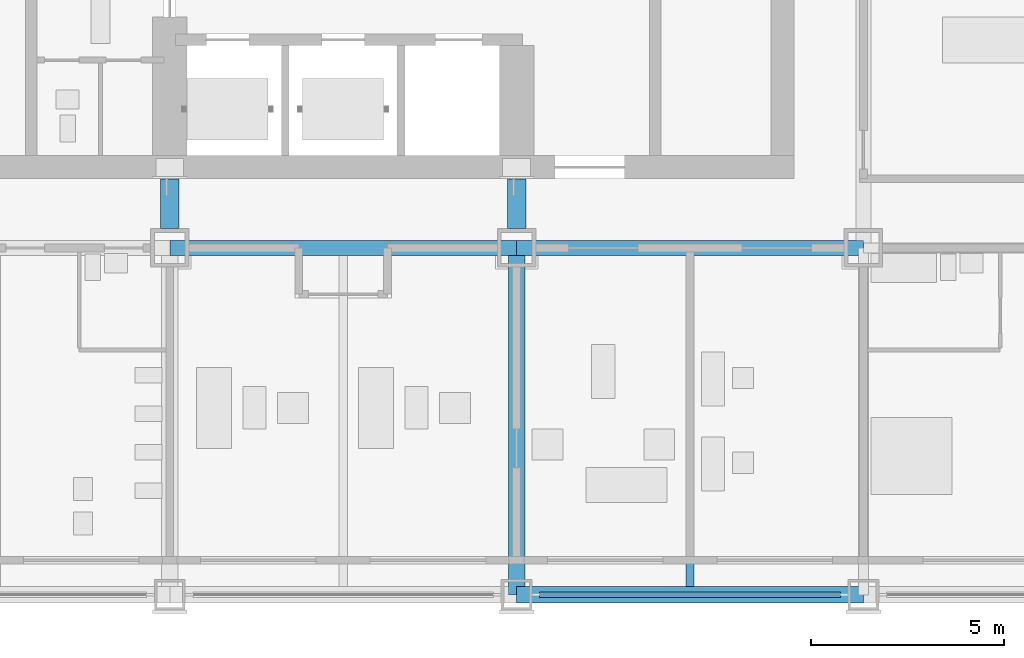
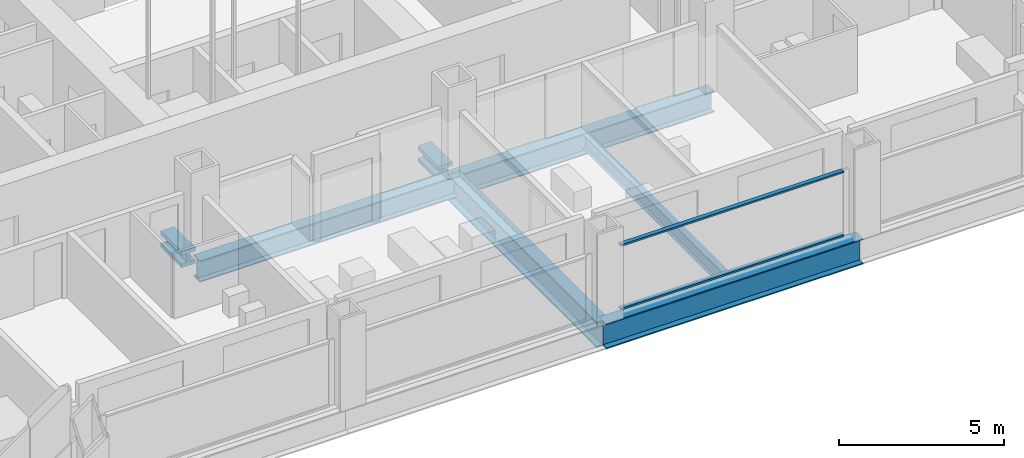
# One storey, part 3 of 19: 5 beams, 4 members, 1 element without a shape of its own.
"""IFC4 building model written with IfcOpenShell, lengths in metres."""

from ifc_helpers import new_model, si_unit, direction, frame, origin, origin_2d, place, context, subcontext, project, spatial, rectangle, i_section, extrude, material, material_profile, profile_set, type_object, element, aggregate, save


model = new_model("IFC4")

# Units and contexts
model_context = context("Model", 3, precision=1e-05, world=origin(), true_north=direction((0.0, 1.0)))
body_context = subcontext(model_context, "Body", "Model", "MODEL_VIEW")
ifc_project = project(units=[si_unit("LENGTHUNIT", "METRE"), si_unit("AREAUNIT", "SQUARE_METRE"), si_unit("VOLUMEUNIT", "CUBIC_METRE"), si_unit("PLANEANGLEUNIT", "RADIAN"), si_unit("MASSUNIT", "GRAM", prefix="KILO")], contexts=[model_context])

# Site, building, storey
site_placement = place(None, origin())
site = spatial("IfcSite", under=ifc_project, at=site_placement, CompositionType="ELEMENT")
building_placement = place(site_placement, origin())
building = spatial("IfcBuilding", under=site, at=building_placement, Name="Loomwork Tower", CompositionType="ELEMENT")
storey_placement = place(building_placement, frame((0.0, 0.0, 94.199951171875)))
storey = spatial("IfcBuildingStorey", under=building, at=storey_placement, Name="L24", CompositionType="ELEMENT", Elevation=94.199951171875)

# Beams
ifc_material_1 = material(Name="Steel ASTM A992", Category="steel")
ifc_material_profile_1 = material_profile(ifc_material_1, i_section(OverallWidth=0.424072265625, OverallDepth=0.947509765625, WebThickness=0.02392578125, FlangeThickness=0.042724609375, at=origin_2d()), Name="W36x302")
ifc_profile_set_1 = profile_set([ifc_material_profile_1], Name="Steel ASTM A992")
beam_type_1 = type_object("IfcBeamType", Name="BELT CHORD SPANDREL W36x302", PredefinedType="SPANDREL", material=ifc_profile_set_1)
beam_1_placement = place(storey_placement, frame((27.0, 0.0, -0.673583984375), z_axis=(1.0, 0.0, 0.0), x_axis=(0.0, 1.0, 0.0)))
element("IfcBeam", 1, at=beam_1_placement, inside=storey, type_object=beam_type_1, Name="Belt Chord Spandrel D/5-D/6 L24", PredefinedType="SPANDREL", context=body_context, shape_type="SweptSolid", body=[
    extrude(i_section(OverallWidth=0.424072265625, OverallDepth=0.947509765625, WebThickness=0.02392578125, FlangeThickness=0.042724609375, at=origin_2d()), origin(), (0.0, 0.0, 1.0), 9.0),
])
ifc_material_2 = material(Name="Steel ASTM A992", Category="steel")
ifc_material_profile_2 = material_profile(ifc_material_2, i_section(OverallWidth=0.383544921875, OverallDepth=0.794921875, WebThickness=0.02099609375, FlangeThickness=0.0380859375, at=origin_2d()), Name="W30x235")
ifc_profile_set_2 = profile_set([ifc_material_profile_2], Name="Steel ASTM A992")
beam_type_2 = type_object("IfcBeamType", Name="CORE FLANK GIRDER W30x235", PredefinedType="BEAM", material=ifc_profile_set_2)
for number, where, z_axis, x_axis, name in (
    (2, (18.0, 9.0, -0.597412109375), (1.0, 0.0, 0.0), (0.0, 1.0, 0.0), "Core Flank Girder E/4-E/5 L24"),
    (3, (27.0, 9.0, -0.597412109375), (1.0, 0.0, 0.0), (0.0, 1.0, 0.0), "Core Flank Girder E/5-E/6 L24"),
):
    element("IfcBeam", number, at=place(storey_placement, frame(where, z_axis=z_axis, x_axis=x_axis)), inside=storey, type_object=beam_type_2, Name=name, PredefinedType="BEAM", context=body_context, shape_type="SweptSolid", body=[
        extrude(i_section(OverallWidth=0.383544921875, OverallDepth=0.794921875, WebThickness=0.02099609375, FlangeThickness=0.0380859375, at=origin_2d()), origin(), (0.0, 0.0, 1.0), 9.0),
    ])
ifc_material_3 = material(Name="Steel ASTM A992", Category="steel")
ifc_material_profile_3 = material_profile(ifc_material_3, i_section(OverallWidth=0.21240234375, OverallDepth=0.54345703125, WebThickness=0.01318359375, FlangeThickness=0.021240234375, at=origin_2d()), Name="W21x83")
ifc_profile_set_3 = profile_set([ifc_material_profile_3], Name="Steel ASTM A992")
beam_type_3 = type_object("IfcBeamType", Name="FLOOR JOIST W21x83", PredefinedType="JOIST", material=ifc_profile_set_3)
beam_2_placement = place(storey_placement, frame((31.5, 0.2119140625, -0.4716796875), z_axis=(0.0, 1.0, 0.0), x_axis=(-1.0, 0.0, 0.0)))
element("IfcBeam", 4, at=beam_2_placement, inside=storey, type_object=beam_type_3, Name="Floor Joist 31.500,0.000-31.500,9.000 L24", PredefinedType="JOIST", context=body_context, shape_type="SweptSolid", body=[
    extrude(i_section(OverallWidth=0.21240234375, OverallDepth=0.54345703125, WebThickness=0.01318359375, FlangeThickness=0.021240234375, at=origin_2d()), origin(), (0.0, 0.0, 1.0), 8.59716796875),
])
ifc_material_4 = material(Name="Steel ASTM A992", Category="steel")
ifc_material_profile_4 = material_profile(ifc_material_4, i_section(OverallWidth=0.424072265625, OverallDepth=0.947509765625, WebThickness=0.02392578125, FlangeThickness=0.042724609375, at=origin_2d()), Name="W36x302")
ifc_profile_set_4 = profile_set([ifc_material_profile_4], Name="Steel ASTM A992")
beam_type_4 = type_object("IfcBeamType", Name="OUTRIGGER GIRDER W36x302", PredefinedType="BEAM", material=ifc_profile_set_4)
beam_3_placement = place(storey_placement, frame((27.0, 0.0, -0.673583984375), z_axis=(0.0, 1.0, 0.0), x_axis=(-1.0, 0.0, 0.0)))
element("IfcBeam", 5, at=beam_3_placement, inside=storey, type_object=beam_type_4, Name="Outrigger Girder D/5-E/5 L24", PredefinedType="BEAM", context=body_context, shape_type="SweptSolid", body=[
    extrude(i_section(OverallWidth=0.424072265625, OverallDepth=0.947509765625, WebThickness=0.02392578125, FlangeThickness=0.042724609375, at=origin_2d()), origin(), (0.0, 0.0, 1.0), 9.0),
])

# Members
ifc_material_5 = material(Name="Steel ASTM A992", Category="steel")
ifc_material_profile_5 = material_profile(ifc_material_5, i_section(OverallWidth=0.4775390625, OverallDepth=0.599365234375, WebThickness=0.10009765625, FlangeThickness=0.139892578125, at=origin_2d()), Name="W14x873")
ifc_profile_set_5 = profile_set([ifc_material_profile_5], Name="Steel ASTM A992")
member_type_1 = type_object("IfcMemberType", Name="OUTRIGGER STRUT W14x873", PredefinedType="STRUT", material=ifc_profile_set_5)
for number, where, z_axis, x_axis, name in (
    (6, (27.0, 9.510009765625, -0.499755859375), (0.0, 1.0, 0.0), (-1.0, 0.0, 0.0), "Outrigger strut E/5-27.000,11.100 L24"),
    (7, (18.0, 9.510009765625, -0.499755859375), (0.0, 1.0, 0.0), (-1.0, 0.0, 0.0), "Outrigger strut E/4-18.000,11.100 L24"),
):
    element("IfcMember", number, at=place(storey_placement, frame(where, z_axis=z_axis, x_axis=x_axis)), inside=storey, type_object=member_type_1, Name=name, PredefinedType="STRUT", context=body_context, shape_type="SweptSolid", body=[
        extrude(i_section(OverallWidth=0.4775390625, OverallDepth=0.599365234375, WebThickness=0.10009765625, FlangeThickness=0.139892578125, at=origin_2d()), origin(), (0.0, 0.0, 1.0), 1.27490234375),
    ])

# Curtain wall, members
ifc_material_6 = material(Name="Aluminium curtain wall frame", Category="aluminium")
curtain_wall_type = type_object("IfcCurtainWallType", Name="Outer skin glazing hotel", PredefinedType="NOTDEFINED", material=ifc_material_6)
curtain_wall_placement = place(storey_placement, origin())
curtain_wall = element("IfcCurtainWall", 8, at=curtain_wall_placement, inside=storey, type_object=curtain_wall_type, Name="Outer skin glazing hotel cw/S-27", PredefinedType="NOTDEFINED")
ifc_material_7 = material(Name="Aluminium curtain wall frame", Category="aluminium")
ifc_material_profile_6 = material_profile(ifc_material_7, rectangle(XDim=0.14990234375, YDim=0.06494140625, at=origin_2d()), Name="AL 65x150")
ifc_profile_set_6 = profile_set([ifc_material_profile_6], Name="Aluminium curtain wall frame")
member_type_2 = type_object("IfcMemberType", Name="Outer skin glazing hotel transom", PredefinedType="USERDEFINED", material=ifc_profile_set_6)
member_1_placement = place(storey_placement, frame((27.60009765625, 0.0, 0.032470703125), z_axis=(1.0, 0.0, 0.0), x_axis=(0.0, 1.0, 0.0)))
member_1 = element("IfcMember", 9, at=member_1_placement, type_object=member_type_2, Name="CW1 transom 1.1", ObjectType="TRANSOM", PredefinedType="USERDEFINED", context=body_context, shape_type="SweptSolid", body=[
    extrude(rectangle(XDim=0.14990234375, YDim=0.06494140625, at=origin_2d()), origin(), (0.0, 0.0, 1.0), 7.7998046875),
])
member_2_placement = place(storey_placement, frame((27.60009765625, 0.0, 2.3876953125), z_axis=(1.0, 0.0, 0.0), x_axis=(0.0, 1.0, 0.0)))
member_2 = element("IfcMember", 10, at=member_2_placement, type_object=member_type_2, Name="CW1 transom 1.2", ObjectType="TRANSOM", PredefinedType="USERDEFINED", context=body_context, shape_type="SweptSolid", body=[
    extrude(rectangle(XDim=0.14990234375, YDim=0.06494140625, at=origin_2d()), origin(), (0.0, 0.0, 1.0), 7.7998046875),
])
aggregate(curtain_wall, [member_1, member_2])

save(model, "model.ifc")
